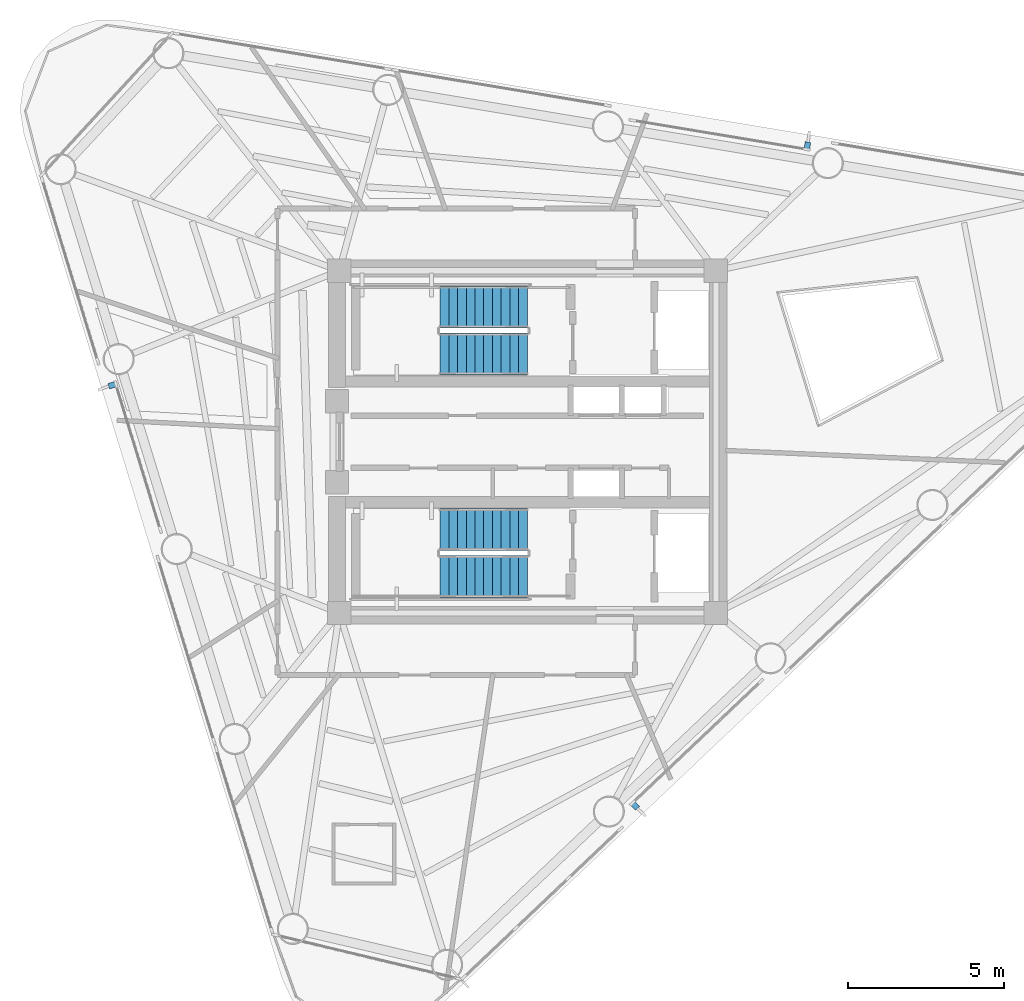
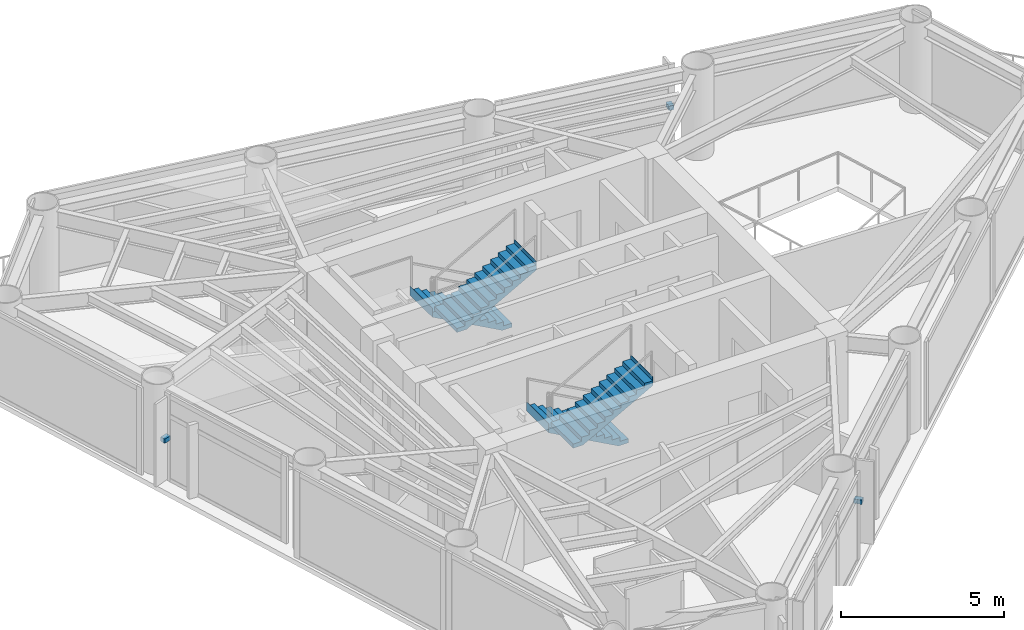
# One storey, part 7 of 9: 4 stair flights, 3 discrete accessories, 2 elements without a shape of their own.
"""IFC4 building model written with IfcOpenShell, lengths in metres."""

from ifc_helpers import new_model, si_unit, direction, frame, origin, origin_2d, place, context, subcontext, project, spatial, polyline, rectangle, outline, extrude, source, transform, mapped, material, type_object, element, aggregate, save


model = new_model("IFC4")

# Units and contexts
model_context = context("Model", 3, precision=1e-05, world=origin(), true_north=direction((0.0, 1.0)))
body_context = subcontext(model_context, "Body", "Model", "MODEL_VIEW")
ifc_project = project(units=[si_unit("LENGTHUNIT", "METRE"), si_unit("AREAUNIT", "SQUARE_METRE"), si_unit("VOLUMEUNIT", "CUBIC_METRE"), si_unit("PLANEANGLEUNIT", "RADIAN"), si_unit("MASSUNIT", "GRAM", prefix="KILO")], contexts=[model_context])

# Site, building, storey
site_placement = place(None, origin())
site = spatial("IfcSite", under=ifc_project, at=site_placement, CompositionType="ELEMENT")
building_placement = place(site_placement, origin())
building = spatial("IfcBuilding", under=site, at=building_placement, Name="Yunling Apex Tower", CompositionType="ELEMENT")
storey_placement = place(building_placement, frame((0.0, 0.0, 228.64990234375)))
storey = spatial("IfcBuildingStorey", under=building, at=storey_placement, Name="L55", CompositionType="ELEMENT", Elevation=228.64990234375)

# Stair, stair flights
ifc_material_1 = material(Name="Concrete C40", Category="concrete")
stair_type = type_object("IfcStairType", Name="ST-TWR-3", PredefinedType="HALF_TURN_STAIR", material=ifc_material_1)
stair_1_placement = place(storey_placement, origin())
stair_1 = element("IfcStair", 1, at=stair_1_placement, inside=storey, type_object=stair_type, Name="L55 North Core Smokeproof Exit Stair ST-1", PredefinedType="HALF_TURN_STAIR")
stair_flight_type = type_object("IfcStairFlightType", Name="SFL-TWR-3", PredefinedType="STRAIGHT", material=ifc_material_1)
stair_flight_1_placement = place(storey_placement, frame((-0.010009765625, 4.330078125, 0.0), z_axis=(0.0, 0.0, 1.0), x_axis=(-1.0, 0.0, 0.0)))
stair_flight_1 = element("IfcStairFlight", 2, at=stair_flight_1_placement, type_object=stair_flight_type, Name="ST-1 flight 1", NumberOfRisers=11, NumberOfTreads=10, PredefinedType="STRAIGHT", RiserHeight=0.154545455, TreadLength=0.28, context=body_context, shape_type="SweptSolid", body=[
    extrude(outline(polyline([(-0.011962890625, 0.0), (-0.011962890625, 0.154541015625), (0.0, 0.154541015625), (0.280029296875, 0.154541015625), (0.280029296875, 0.30908203125), (0.56005859375, 0.30908203125), (0.56005859375, 0.463623046875), (0.840087890625, 0.463623046875), (0.840087890625, 0.6181640625), (1.1201171875, 0.6181640625), (1.1201171875, 0.772705078125), (1.39990234375, 0.772705078125), (1.39990234375, 0.92724609375), (1.679931640625, 0.92724609375), (1.679931640625, 1.081787109375), (1.9599609375, 1.081787109375), (1.9599609375, 1.236328125), (2.239990234375, 1.236328125), (2.239990234375, 1.390869140625), (2.52001953125, 1.390869140625), (2.52001953125, 1.54541015625), (2.800048828125, 1.54541015625), (2.800048828125, 1.699951171875), (2.81201171875, 1.699951171875), (2.81201171875, 1.36279296875), (0.330810546875, 0.0), (-0.011962890625, 0.0)])), frame((0.0, 0.68017578125, 0.0), z_axis=(0.0, -1.0, 0.0), x_axis=(1.0, 0.0, 0.0)), (0.0, 0.0, 1.0), 1.360107421875),
])
stair_flight_2_placement = place(storey_placement, frame((-2.81005859375, 2.820068359375, 1.7001953125), z_axis=(0.0, 0.0, 1.0), x_axis=(1.0, 0.0, 0.0)))
stair_flight_2 = element("IfcStairFlight", 3, at=stair_flight_2_placement, type_object=stair_flight_type, Name="ST-1 flight 2", NumberOfRisers=11, NumberOfTreads=10, PredefinedType="STRAIGHT", RiserHeight=0.154545455, TreadLength=0.28, context=body_context, shape_type="SweptSolid", body=[
    extrude(outline(polyline([(-0.011962890625, 0.0), (-0.011962890625, 0.154541015625), (0.0, 0.154541015625), (0.280029296875, 0.154541015625), (0.280029296875, 0.30908203125), (0.56005859375, 0.30908203125), (0.56005859375, 0.463623046875), (0.840087890625, 0.463623046875), (0.840087890625, 0.6181640625), (1.1201171875, 0.6181640625), (1.1201171875, 0.772705078125), (1.39990234375, 0.772705078125), (1.39990234375, 0.92724609375), (1.679931640625, 0.92724609375), (1.679931640625, 1.081787109375), (1.9599609375, 1.081787109375), (1.9599609375, 1.236328125), (2.239990234375, 1.236328125), (2.239990234375, 1.390869140625), (2.52001953125, 1.390869140625), (2.52001953125, 1.54541015625), (2.800048828125, 1.54541015625), (2.800048828125, 1.699951171875), (2.81201171875, 1.699951171875), (2.81201171875, 1.36279296875), (0.330810546875, 0.0), (-0.011962890625, 0.0)])), frame((0.0, 0.68017578125, 0.0), z_axis=(0.0, -1.0, 0.0), x_axis=(1.0, 0.0, 0.0)), (0.0, 0.0, 1.0), 1.360107421875),
])
aggregate(stair_1, [stair_flight_1, stair_flight_2])

stair_2_placement = place(storey_placement, origin())
stair_2 = element("IfcStair", 4, at=stair_2_placement, inside=storey, type_object=stair_type, Name="L55 South Core Smokeproof Exit Stair ST-2", PredefinedType="HALF_TURN_STAIR")
stair_flight_3_placement = place(storey_placement, frame((-0.010009765625, -2.820068359375, 0.0), z_axis=(0.0, 0.0, 1.0), x_axis=(-1.0, 0.0, 0.0)))
stair_flight_3 = element("IfcStairFlight", 5, at=stair_flight_3_placement, type_object=stair_flight_type, Name="ST-2 flight 1", NumberOfRisers=11, NumberOfTreads=10, PredefinedType="STRAIGHT", RiserHeight=0.154545455, TreadLength=0.28, context=body_context, shape_type="SweptSolid", body=[
    extrude(outline(polyline([(-0.011962890625, 0.0), (-0.011962890625, 0.154541015625), (0.0, 0.154541015625), (0.280029296875, 0.154541015625), (0.280029296875, 0.30908203125), (0.56005859375, 0.30908203125), (0.56005859375, 0.463623046875), (0.840087890625, 0.463623046875), (0.840087890625, 0.6181640625), (1.1201171875, 0.6181640625), (1.1201171875, 0.772705078125), (1.39990234375, 0.772705078125), (1.39990234375, 0.92724609375), (1.679931640625, 0.92724609375), (1.679931640625, 1.081787109375), (1.9599609375, 1.081787109375), (1.9599609375, 1.236328125), (2.239990234375, 1.236328125), (2.239990234375, 1.390869140625), (2.52001953125, 1.390869140625), (2.52001953125, 1.54541015625), (2.800048828125, 1.54541015625), (2.800048828125, 1.699951171875), (2.81201171875, 1.699951171875), (2.81201171875, 1.36279296875), (0.330810546875, 0.0), (-0.011962890625, 0.0)])), frame((0.0, 0.68017578125, 0.0), z_axis=(0.0, -1.0, 0.0), x_axis=(1.0, 0.0, 0.0)), (0.0, 0.0, 1.0), 1.360107421875),
])
stair_flight_4_placement = place(storey_placement, frame((-2.81005859375, -4.330078125, 1.7001953125), z_axis=(0.0, 0.0, 1.0), x_axis=(1.0, 0.0, 0.0)))
stair_flight_4 = element("IfcStairFlight", 6, at=stair_flight_4_placement, type_object=stair_flight_type, Name="ST-2 flight 2", NumberOfRisers=11, NumberOfTreads=10, PredefinedType="STRAIGHT", RiserHeight=0.154545455, TreadLength=0.28, context=body_context, shape_type="SweptSolid", body=[
    extrude(outline(polyline([(-0.011962890625, 0.0), (-0.011962890625, 0.154541015625), (0.0, 0.154541015625), (0.280029296875, 0.154541015625), (0.280029296875, 0.30908203125), (0.56005859375, 0.30908203125), (0.56005859375, 0.463623046875), (0.840087890625, 0.463623046875), (0.840087890625, 0.6181640625), (1.1201171875, 0.6181640625), (1.1201171875, 0.772705078125), (1.39990234375, 0.772705078125), (1.39990234375, 0.92724609375), (1.679931640625, 0.92724609375), (1.679931640625, 1.081787109375), (1.9599609375, 1.081787109375), (1.9599609375, 1.236328125), (2.239990234375, 1.236328125), (2.239990234375, 1.390869140625), (2.52001953125, 1.390869140625), (2.52001953125, 1.54541015625), (2.800048828125, 1.54541015625), (2.800048828125, 1.699951171875), (2.81201171875, 1.699951171875), (2.81201171875, 1.36279296875), (0.330810546875, 0.0), (-0.011962890625, 0.0)])), frame((0.0, 0.68017578125, 0.0), z_axis=(0.0, -1.0, 0.0), x_axis=(1.0, 0.0, 0.0)), (0.0, 0.0, 1.0), 1.360107421875),
])
aggregate(stair_2, [stair_flight_3, stair_flight_4])

# Discrete accessories
ifc_material_2 = material(Name="Steel Q355B", Category="steel")
discrete_accessory_type = type_object("IfcDiscreteAccessoryType", Name="BK-FIN-1", PredefinedType="BRACKET", material=ifc_material_2)
shared_shape = source(origin(), body_context, "Body", "SweptSolid", [
    extrude(rectangle(XDim=0.179931640625, YDim=0.260009765625, at=origin_2d()), origin(), (0.0, 0.0, 1.0), 0.159912109375),
])
for number, where, z_axis, x_axis, name in (
    (7, (3.443603515625, -11.68505859375, 1.5302734375), (0.0, 0.0, 1.0), (0.725854756355, 0.687848001144, 0.0), "CW-L55-F1-B2-BRK-01-1"),
    (8, (8.989013671875, 9.502197265625, 1.5302734375), (0.0, 0.0, 1.0), (-0.986400586142, 0.164359008451, 0.0), "CW-L55-F2-B2-BRK-01-1"),
    (9, (-13.33642578125, 1.822265625, 1.5302734375), (0.0, 0.0, 1.0), (0.292371704723, -0.956304755963, 0.0), "CW-L55-F3-B2-BRK-01-1"),
):
    element("IfcDiscreteAccessory", number, at=place(storey_placement, frame(where, z_axis=z_axis, x_axis=x_axis)), inside=storey, type_object=discrete_accessory_type, Name=name, PredefinedType="BRACKET", context=body_context, shape_type="MappedRepresentation", body=[
        mapped(shared_shape, transform((0.0, 0.0, 0.0), scale=1.0)),
    ])

save(model, "model.ifc")
